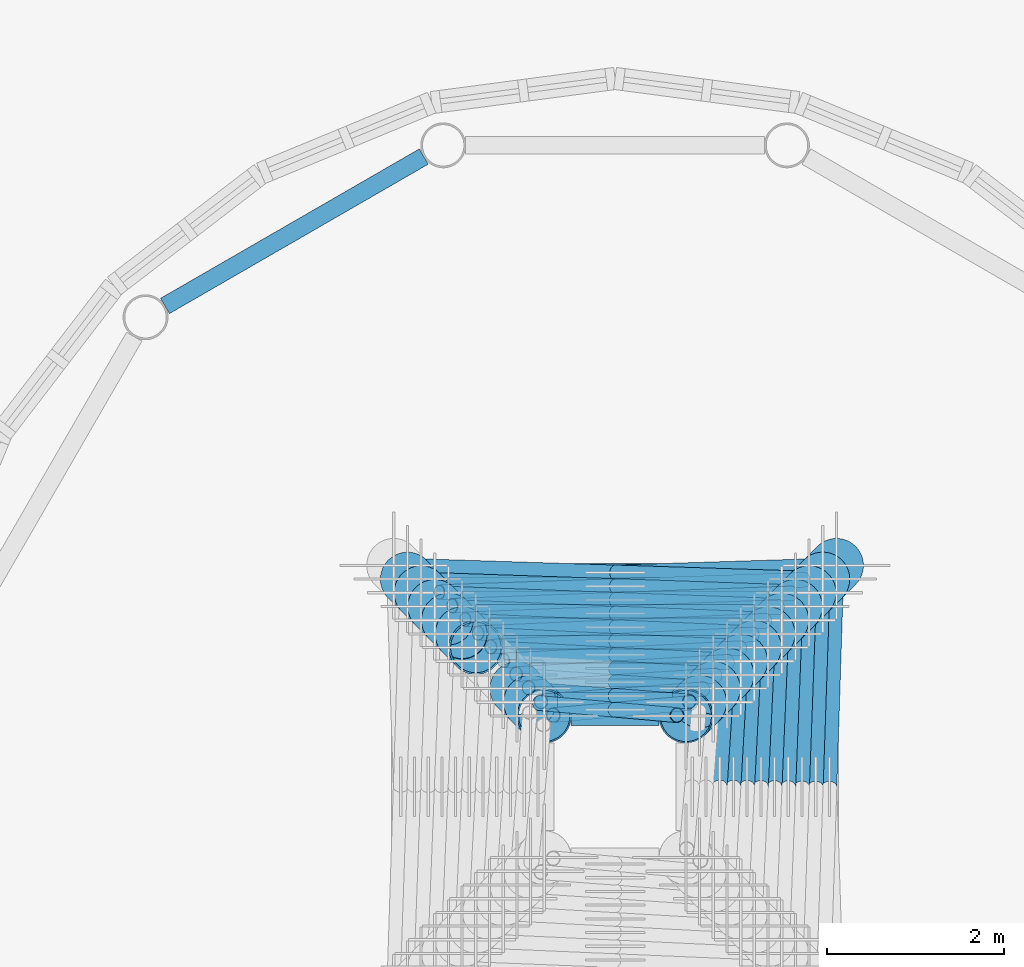
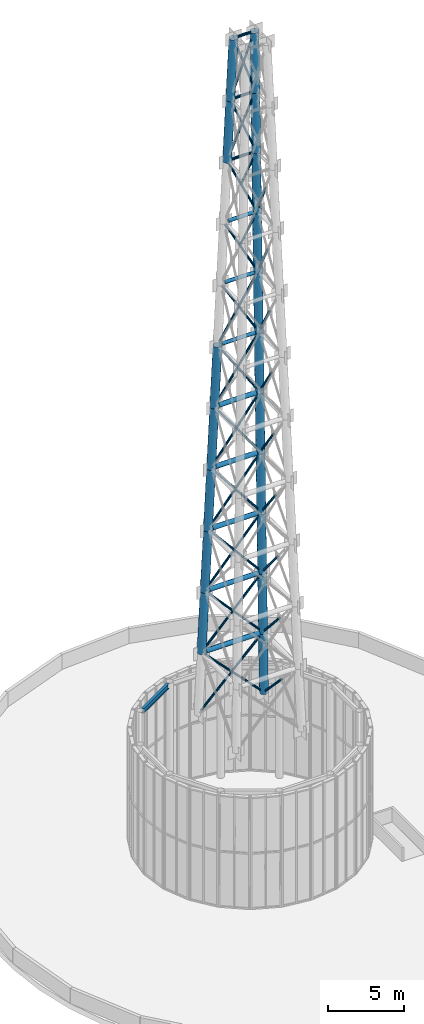
# One storey, part 6 of 11: 69 members, 1 beam.
"""IFC4 building model written with IfcOpenShell, lengths in metres."""

from ifc_helpers import new_model, si_unit, direction, frame, origin, origin_2d, place, context, subcontext, project, spatial, hollow_circle, i_section, extrude, material, material_profile, profile_set, type_object, element, save


model = new_model("IFC4")

# Units and contexts
model_context = context("Model", 3, precision=1e-05, world=origin(), true_north=direction((0.0, 1.0)))
body_context = subcontext(model_context, "Body", "Model", "MODEL_VIEW")
ifc_project = project(units=[si_unit("LENGTHUNIT", "METRE"), si_unit("AREAUNIT", "SQUARE_METRE"), si_unit("VOLUMEUNIT", "CUBIC_METRE"), si_unit("PLANEANGLEUNIT", "RADIAN"), si_unit("MASSUNIT", "GRAM", prefix="KILO")], contexts=[model_context])

# Site, building, storey
site_placement = place(None, origin())
site = spatial("IfcSite", under=ifc_project, at=site_placement, CompositionType="ELEMENT")
building_placement = place(site_placement, origin())
building = spatial("IfcBuilding", under=site, at=building_placement, Name="Vermilion Reach Broadcast Tower", CompositionType="ELEMENT")
storey_placement = place(building_placement, frame((0.0, 0.0, 329.699951171875)))
storey = spatial("IfcBuildingStorey", under=building, at=storey_placement, Name="RF", CompositionType="ELEMENT", Elevation=329.699951171875)

# Beam
ifc_material_1 = material(Name="Steel S355J2", Category="steel")
ifc_material_profile_1 = material_profile(ifc_material_1, i_section(OverallWidth=0.199951171875, OverallDepth=0.39990234375, WebThickness=0.008056640625, FlangeThickness=0.012939453125, at=origin_2d()), Name="S355J2 HN 400x200x8x13")
ifc_profile_set_1 = profile_set([ifc_material_profile_1], Name="Steel S355J2")
beam_type = type_object("IfcBeamType", Name="DB1 HN 400x200x8x13", PredefinedType="BEAM", material=ifc_profile_set_1)
beam_placement = place(storey_placement, frame((-8.1611328125, 7.117431640625, 8.85009765625), z_axis=(-0.866034971321, -0.499983428175, 0.0), x_axis=(0.499983428175, -0.866034971321, 0.0)))
element("IfcBeam", 1, at=beam_placement, inside=storey, type_object=beam_type, Name="Plant drum ring beam DB1-04", PredefinedType="BEAM", context=body_context, shape_type="SweptSolid", body=[
    extrude(i_section(OverallWidth=0.199951171875, OverallDepth=0.39990234375, WebThickness=0.008056640625, FlangeThickness=0.012939453125, at=origin_2d()), origin(), (0.0, 0.0, 1.0), 3.3740234375),
])

# Members
ifc_material_2 = material(Name="Steel S355J2H", Category="steel")
ifc_material_profile_2 = material_profile(ifc_material_2, hollow_circle(Radius=0.084228515625, WallThickness=0.008056640625, at=origin_2d()), Name="S355J2H CHS 168x8")
ifc_profile_set_2 = profile_set([ifc_material_profile_2], Name="Steel S355J2H")
member_type_1 = type_object("IfcMemberType", Name="MBR CHS 168x8", PredefinedType="BRACE", material=ifc_profile_set_2)
member_1_placement = place(storey_placement, frame((-3.5068359375, 2.287841796875, 9.718994140625), z_axis=(-0.022199125077, -0.695745823055, 0.717944948132), x_axis=(0.9994913617, -0.031890717869, 0.0)))
element("IfcMember", 2, at=member_1_placement, inside=storey, type_object=member_type_1, Name="Mast brace panel 1", PredefinedType="BRACE", context=body_context, shape_type="SweptSolid", body=[
    extrude(hollow_circle(Radius=0.084228515625, WallThickness=0.008056640625, at=origin_2d()), origin(), (0.0, 0.0, 1.0), 3.288330078125),
])
member_2_placement = place(storey_placement, frame((-3.712158203125, 2.4931640625, 9.718994140625), z_axis=(-0.695761707887, -0.022168783779, 0.717930491666), x_axis=(0.031846448183, -0.99949277323, 0.0)))
element("IfcMember", 3, at=member_2_placement, inside=storey, type_object=member_type_1, Name="Mast brace panel 1", PredefinedType="BRACE", context=body_context, shape_type="SweptSolid", body=[
    extrude(hollow_circle(Radius=0.084228515625, WallThickness=0.008056640625, at=origin_2d()), origin(), (0.0, 0.0, 1.0), 6.3544921875),
])
member_3_placement = place(storey_placement, frame((-8.287841796875, 2.4931640625, 9.718994140625), z_axis=(0.695745823055, -0.022199125077, 0.717944948132), x_axis=(0.031890717869, 0.9994913617, 0.0)))
element("IfcMember", 4, at=member_3_placement, inside=storey, type_object=member_type_1, Name="Mast brace panel 1", PredefinedType="BRACE", context=body_context, shape_type="SweptSolid", body=[
    extrude(hollow_circle(Radius=0.084228515625, WallThickness=0.008056640625, at=origin_2d()), origin(), (0.0, 0.0, 1.0), 3.288330078125),
])
member_4_placement = place(storey_placement, frame((-6.0, 2.420166015625, 12.079833984375), z_axis=(0.695778743189, -0.022136242917, 0.717914986106), x_axis=(0.031798971296, 0.999494284838, 0.0)))
element("IfcMember", 5, at=member_4_placement, inside=storey, type_object=member_type_1, Name="Mast brace panel 1", PredefinedType="BRACE", context=body_context, shape_type="SweptSolid", body=[
    extrude(hollow_circle(Radius=0.084228515625, WallThickness=0.008056640625, at=origin_2d()), origin(), (0.0, 0.0, 1.0), 3.066162109375),
])
member_5_placement = place(storey_placement, frame((-3.66162109375, 2.140625, 14.725830078125), z_axis=(-0.022831426931, -0.671764937339, 0.740412449184), x_axis=(0.999422934117, -0.033967613409, 0.0)))
element("IfcMember", 6, at=member_5_placement, inside=storey, type_object=member_type_1, Name="Mast brace panel 2", PredefinedType="BRACE", context=body_context, shape_type="SweptSolid", body=[
    extrude(hollow_circle(Radius=0.084228515625, WallThickness=0.008056640625, at=origin_2d()), origin(), (0.0, 0.0, 1.0), 3.1865234375),
])
member_6_placement = place(storey_placement, frame((-3.859375, 2.33837890625, 14.725830078125), z_axis=(-0.671770828267, -0.022852051485, 0.740406468119), x_axis=(0.033997964486, -0.999421902107, 0.0)))
element("IfcMember", 7, at=member_6_placement, inside=storey, type_object=member_type_1, Name="Mast brace panel 2", PredefinedType="BRACE", context=body_context, shape_type="SweptSolid", body=[
    extrude(hollow_circle(Radius=0.084228515625, WallThickness=0.008056640625, at=origin_2d()), origin(), (0.0, 0.0, 1.0), 6.14306640625),
])
member_7_placement = place(storey_placement, frame((-8.140625, 2.33837890625, 14.725830078125), z_axis=(0.671764937339, -0.022831426931, 0.740412449184), x_axis=(0.033967613409, 0.999422934117, 0.0)))
element("IfcMember", 8, at=member_7_placement, inside=storey, type_object=member_type_1, Name="Mast brace panel 2", PredefinedType="BRACE", context=body_context, shape_type="SweptSolid", body=[
    extrude(hollow_circle(Radius=0.084228515625, WallThickness=0.008056640625, at=origin_2d()), origin(), (0.0, 0.0, 1.0), 3.1865234375),
])
member_8_placement = place(storey_placement, frame((-6.0, 2.265625, 17.085205078125), z_axis=(0.671777177322, -0.022874281268, 0.740400021127), x_axis=(0.034030677134, 0.999420788764, 0.0)))
element("IfcMember", 9, at=member_8_placement, inside=storey, type_object=member_type_1, Name="Mast brace panel 2", PredefinedType="BRACE", context=body_context, shape_type="SweptSolid", body=[
    extrude(hollow_circle(Radius=0.084228515625, WallThickness=0.008056640625, at=origin_2d()), origin(), (0.0, 0.0, 1.0), 2.95654296875),
])
member_9_placement = place(storey_placement, frame((-3.81640625, 1.994140625, 19.73291015625), z_axis=(-0.023548672028, -0.645454876267, 0.763435303577), x_axis=(0.999335128402, -0.036459582305, 0.0)))
element("IfcMember", 10, at=member_9_placement, inside=storey, type_object=member_type_1, Name="Mast brace panel 3", PredefinedType="BRACE", context=body_context, shape_type="SweptSolid", body=[
    extrude(hollow_circle(Radius=0.084228515625, WallThickness=0.008056640625, at=origin_2d()), origin(), (0.0, 0.0, 1.0), 3.089599609375),
])
member_10_placement = place(storey_placement, frame((-4.005859375, 2.18359375, 19.73291015625), z_axis=(-0.645480445535, -0.023594585476, 0.763412267368), x_axis=(0.036529128567, -0.999332588664, 0.0)))
element("IfcMember", 11, at=member_10_placement, inside=storey, type_object=member_type_1, Name="Mast brace panel 3", PredefinedType="BRACE", context=body_context, shape_type="SweptSolid", body=[
    extrude(hollow_circle(Radius=0.084228515625, WallThickness=0.008056640625, at=origin_2d()), origin(), (0.0, 0.0, 1.0), 5.939453125),
])
member_11_placement = place(storey_placement, frame((-7.994140625, 2.18359375, 19.73291015625), z_axis=(0.645454876267, -0.023548672028, 0.763435303577), x_axis=(0.036459582305, 0.999335128402, 0.0)))
element("IfcMember", 12, at=member_11_placement, inside=storey, type_object=member_type_1, Name="Mast brace panel 3", PredefinedType="BRACE", context=body_context, shape_type="SweptSolid", body=[
    extrude(hollow_circle(Radius=0.084228515625, WallThickness=0.008056640625, at=origin_2d()), origin(), (0.0, 0.0, 1.0), 3.089599609375),
])
member_12_placement = place(storey_placement, frame((-6.0, 2.11083984375, 22.091552734375), z_axis=(0.645508162712, -0.023644360041, 0.763387291033), x_axis=(0.03660451667, 0.999329830116, 0.0)))
element("IfcMember", 13, at=member_12_placement, inside=storey, type_object=member_type_1, Name="Mast brace panel 3", PredefinedType="BRACE", context=body_context, shape_type="SweptSolid", body=[
    extrude(hollow_circle(Radius=0.084228515625, WallThickness=0.008056640625, at=origin_2d()), origin(), (0.0, 0.0, 1.0), 2.849853515625),
])
member_13_placement = place(storey_placement, frame((-3.970947265625, 1.848388671875, 24.739990234375), z_axis=(-0.024352897894, -0.61664143797, 0.786867379768), x_axis=(0.999221070359, -0.039462039366, 0.0)))
element("IfcMember", 14, at=member_13_placement, inside=storey, type_object=member_type_1, Name="Mast brace panel 4", PredefinedType="BRACE", context=body_context, shape_type="SweptSolid", body=[
    extrude(hollow_circle(Radius=0.084228515625, WallThickness=0.008056640625, at=origin_2d()), origin(), (0.0, 0.0, 1.0), 2.99755859375),
])
member_14_placement = place(storey_placement, frame((-4.151611328125, 2.029052734375, 24.739990234375), z_axis=(-0.616646763717, -0.024353063313, 0.78686320101), x_axis=(0.039461966708, -0.999221073228, 0.0)))
element("IfcMember", 15, at=member_14_placement, inside=storey, type_object=member_type_1, Name="Mast brace panel 4", PredefinedType="BRACE", context=body_context, shape_type="SweptSolid", body=[
    extrude(hollow_circle(Radius=0.084228515625, WallThickness=0.008056640625, at=origin_2d()), origin(), (0.0, 0.0, 1.0), 5.744384765625),
])
member_15_placement = place(storey_placement, frame((-7.848388671875, 2.029052734375, 24.739990234375), z_axis=(0.61664143797, -0.024352897894, 0.786867379768), x_axis=(0.039462039366, 0.999221070359, 0.0)))
element("IfcMember", 16, at=member_15_placement, inside=storey, type_object=member_type_1, Name="Mast brace panel 4", PredefinedType="BRACE", context=body_context, shape_type="SweptSolid", body=[
    extrude(hollow_circle(Radius=0.084228515625, WallThickness=0.008056640625, at=origin_2d()), origin(), (0.0, 0.0, 1.0), 2.99755859375),
])
member_16_placement = place(storey_placement, frame((-6.0, 1.9560546875, 27.0986328125), z_axis=(0.616652575441, -0.024353243827, 0.786858640873), x_axis=(0.03946188742, 0.99922107636, 0.0)))
element("IfcMember", 17, at=member_16_placement, inside=storey, type_object=member_type_1, Name="Mast brace panel 4", PredefinedType="BRACE", context=body_context, shape_type="SweptSolid", body=[
    extrude(hollow_circle(Radius=0.084228515625, WallThickness=0.008056640625, at=origin_2d()), origin(), (0.0, 0.0, 1.0), 2.746826171875),
])
member_17_placement = place(storey_placement, frame((-4.125732421875, 1.703369140625, 29.747314453125), z_axis=(-0.025073916487, -0.585086004445, 0.810583534322), x_axis=(0.999082983326, -0.042815796476, 0.0)))
element("IfcMember", 18, at=member_17_placement, inside=storey, type_object=member_type_1, Name="Mast brace panel 5", PredefinedType="BRACE", context=body_context, shape_type="SweptSolid", body=[
    extrude(hollow_circle(Radius=0.084228515625, WallThickness=0.008056640625, at=origin_2d()), origin(), (0.0, 0.0, 1.0), 2.911376953125),
])
member_18_placement = place(storey_placement, frame((-4.296630859375, 1.874267578125, 29.747314453125), z_axis=(-0.585086671812, -0.02507953529, 0.810582878784), x_axis=(0.042825324697, -0.999082574948, 0.0)))
element("IfcMember", 19, at=member_18_placement, inside=storey, type_object=member_type_1, Name="Mast brace panel 5", PredefinedType="BRACE", context=body_context, shape_type="SweptSolid", body=[
    extrude(hollow_circle(Radius=0.084228515625, WallThickness=0.008056640625, at=origin_2d()), origin(), (0.0, 0.0, 1.0), 5.55859375),
])
member_19_placement = place(storey_placement, frame((-7.703369140625, 1.874267578125, 29.747314453125), z_axis=(0.585086004445, -0.025073916487, 0.810583534322), x_axis=(0.042815796476, 0.999082983326, 0.0)))
element("IfcMember", 20, at=member_19_placement, inside=storey, type_object=member_type_1, Name="Mast brace panel 5", PredefinedType="BRACE", context=body_context, shape_type="SweptSolid", body=[
    extrude(hollow_circle(Radius=0.084228515625, WallThickness=0.008056640625, at=origin_2d()), origin(), (0.0, 0.0, 1.0), 2.911376953125),
])
member_20_placement = place(storey_placement, frame((-6.0, 1.80126953125, 32.107177734375), z_axis=(0.585087405747, -0.025085714748, 0.810582157805), x_axis=(0.042835803625, 0.999082125717, 0.0)))
element("IfcMember", 21, at=member_20_placement, inside=storey, type_object=member_type_1, Name="Mast brace panel 5", PredefinedType="BRACE", context=body_context, shape_type="SweptSolid", body=[
    extrude(hollow_circle(Radius=0.084228515625, WallThickness=0.008056640625, at=origin_2d()), origin(), (0.0, 0.0, 1.0), 2.647216796875),
])
member_21_placement = place(storey_placement, frame((-4.280517578125, 1.559326171875, 34.754638671875), z_axis=(-0.025778975524, -0.550669955429, 0.834324903505), x_axis=(0.998906029941, -0.046762627674, 0.0)))
element("IfcMember", 22, at=member_21_placement, inside=storey, type_object=member_type_1, Name="Mast brace panel 6", PredefinedType="BRACE", context=body_context, shape_type="SweptSolid", body=[
    extrude(hollow_circle(Radius=0.084228515625, WallThickness=0.008056640625, at=origin_2d()), origin(), (0.0, 0.0, 1.0), 2.831787109375),
])
member_22_placement = place(storey_placement, frame((-4.440673828125, 1.719482421875, 34.754638671875), z_axis=(-0.550668216389, -0.025807611822, 0.834325166006), x_axis=(0.046814607173, -0.998903595226, 0.0)))
element("IfcMember", 23, at=member_22_placement, inside=storey, type_object=member_type_1, Name="Mast brace panel 6", PredefinedType="BRACE", context=body_context, shape_type="SweptSolid", body=[
    extrude(hollow_circle(Radius=0.084228515625, WallThickness=0.008056640625, at=origin_2d()), origin(), (0.0, 0.0, 1.0), 5.3828125),
])
member_23_placement = place(storey_placement, frame((-7.559326171875, 1.719482421875, 34.754638671875), z_axis=(0.550669955429, -0.025778975524, 0.834324903505), x_axis=(0.046762627674, 0.998906029941, 0.0)))
element("IfcMember", 24, at=member_23_placement, inside=storey, type_object=member_type_1, Name="Mast brace panel 6", PredefinedType="BRACE", context=body_context, shape_type="SweptSolid", body=[
    extrude(hollow_circle(Radius=0.084228515625, WallThickness=0.008056640625, at=origin_2d()), origin(), (0.0, 0.0, 1.0), 2.831787109375),
])
member_24_placement = place(storey_placement, frame((-6.0, 1.646484375, 37.1171875), z_axis=(0.550666285519, -0.025839398173, 0.834325456579), x_axis=(0.046872304513, 0.998900889513, 0.0)))
element("IfcMember", 25, at=member_24_placement, inside=storey, type_object=member_type_1, Name="Mast brace panel 6", PredefinedType="BRACE", context=body_context, shape_type="SweptSolid", body=[
    extrude(hollow_circle(Radius=0.084228515625, WallThickness=0.008056640625, at=origin_2d()), origin(), (0.0, 0.0, 1.0), 2.551025390625),
])
member_25_placement = place(storey_placement, frame((-4.435302734375, 1.416259765625, 39.76171875), z_axis=(-0.026540005715, -0.513195243844, 0.857861451397), x_axis=(0.998665444252, -0.051646204667, 0.0)))
element("IfcMember", 26, at=member_25_placement, inside=storey, type_object=member_type_1, Name="Mast brace panel 7", PredefinedType="BRACE", context=body_context, shape_type="SweptSolid", body=[
    extrude(hollow_circle(Radius=0.084228515625, WallThickness=0.008056640625, at=origin_2d()), origin(), (0.0, 0.0, 1.0), 2.759765625),
])
member_26_placement = place(storey_placement, frame((-4.583740234375, 1.564697265625, 39.76171875), z_axis=(-0.513192774051, -0.026527514166, 0.857863315252), x_axis=(0.051622208984, -0.998666684905, 0.0)))
element("IfcMember", 27, at=member_26_placement, inside=storey, type_object=member_type_1, Name="Mast brace panel 7", PredefinedType="BRACE", context=body_context, shape_type="SweptSolid", body=[
    extrude(hollow_circle(Radius=0.084228515625, WallThickness=0.008056640625, at=origin_2d()), origin(), (0.0, 0.0, 1.0), 5.21826171875),
])
member_27_placement = place(storey_placement, frame((-7.416259765625, 1.564697265625, 39.76171875), z_axis=(0.513195243844, -0.026540005715, 0.857861451397), x_axis=(0.051646204667, 0.998665444252, 0.0)))
element("IfcMember", 28, at=member_27_placement, inside=storey, type_object=member_type_1, Name="Mast brace panel 7", PredefinedType="BRACE", context=body_context, shape_type="SweptSolid", body=[
    extrude(hollow_circle(Radius=0.084228515625, WallThickness=0.008056640625, at=origin_2d()), origin(), (0.0, 0.0, 1.0), 2.759765625),
])
member_28_placement = place(storey_placement, frame((-6.0, 1.491455078125, 42.129150390625), z_axis=(0.513190001673, -0.026513492734, 0.857865407209), x_axis=(0.051595274093, 0.998668076836, 0.0)))
element("IfcMember", 29, at=member_28_placement, inside=storey, type_object=member_type_1, Name="Mast brace panel 7", PredefinedType="BRACE", context=body_context, shape_type="SweptSolid", body=[
    extrude(hollow_circle(Radius=0.084228515625, WallThickness=0.008056640625, at=origin_2d()), origin(), (0.0, 0.0, 1.0), 2.45849609375),
])
member_29_placement = place(storey_placement, frame((-4.590087890625, 1.274169921875, 44.768798828125), z_axis=(-0.027253269785, -0.472540913647, 0.880887248299), x_axis=(0.998340999136, -0.057578202863, 0.0)))
element("IfcMember", 30, at=member_29_placement, inside=storey, type_object=member_type_1, Name="Mast brace panel 8", PredefinedType="BRACE", context=body_context, shape_type="SweptSolid", body=[
    extrude(hollow_circle(Radius=0.084228515625, WallThickness=0.008056640625, at=origin_2d()), origin(), (0.0, 0.0, 1.0), 2.696533203125),
])
member_30_placement = place(storey_placement, frame((-4.725830078125, 1.409912109375, 44.768798828125), z_axis=(-0.472521016669, -0.027228391068, 0.880898690841), x_axis=(0.057528229701, -0.998343880027, 0.0)))
element("IfcMember", 31, at=member_30_placement, inside=storey, type_object=member_type_1, Name="Mast brace panel 8", PredefinedType="BRACE", context=body_context, shape_type="SweptSolid", body=[
    extrude(hollow_circle(Radius=0.084228515625, WallThickness=0.008056640625, at=origin_2d()), origin(), (0.0, 0.0, 1.0), 5.06591796875),
])
member_31_placement = place(storey_placement, frame((-6.0, 1.33642578125, 47.14404296875), z_axis=(0.472498374716, -0.027200080882, 0.880911710384), x_axis=(0.057471358278, 0.998347155541, 0.0)))
element("IfcMember", 32, at=member_31_placement, inside=storey, type_object=member_type_1, Name="Mast brace panel 8", PredefinedType="BRACE", context=body_context, shape_type="SweptSolid", body=[
    extrude(hollow_circle(Radius=0.084228515625, WallThickness=0.008056640625, at=origin_2d()), origin(), (0.0, 0.0, 1.0), 2.36962890625),
])
member_32_placement = place(storey_placement, frame((-4.744873046875, 1.1328125, 49.775390625), z_axis=(-0.027890170853, -0.428511234295, 0.903105896588), x_axis=(0.997888598734, -0.064948783797, 0.0)))
element("IfcMember", 33, at=member_32_placement, inside=storey, type_object=member_type_1, Name="Mast brace panel 9", PredefinedType="BRACE", context=body_context, shape_type="SweptSolid", body=[
    extrude(hollow_circle(Radius=0.084228515625, WallThickness=0.008056640625, at=origin_2d()), origin(), (0.0, 0.0, 1.0), 2.6435546875),
])
member_33_placement = place(storey_placement, frame((-4.8671875, 1.255126953125, 49.775390625), z_axis=(-0.428509681885, -0.027899959628, 0.903106330829), x_axis=(0.064971717424, -0.997887105807, 0.0)))
element("IfcMember", 34, at=member_33_placement, inside=storey, type_object=member_type_1, Name="Mast brace panel 9", PredefinedType="BRACE", context=body_context, shape_type="SweptSolid", body=[
    extrude(hollow_circle(Radius=0.084228515625, WallThickness=0.008056640625, at=origin_2d()), origin(), (0.0, 0.0, 1.0), 4.926513671875),
])
member_34_placement = place(storey_placement, frame((-6.0, 1.181396484375, 52.162841796875), z_axis=(0.428507884197, -0.027911294678, 0.903106833553), x_axis=(0.06499827383, 0.997885376383, 0.0)))
element("IfcMember", 35, at=member_34_placement, inside=storey, type_object=member_type_1, Name="Mast brace panel 9", PredefinedType="BRACE", context=body_context, shape_type="SweptSolid", body=[
    extrude(hollow_circle(Radius=0.084228515625, WallThickness=0.008056640625, at=origin_2d()), origin(), (0.0, 0.0, 1.0), 2.282958984375),
])
member_35_placement = place(storey_placement, frame((-5.00732421875, 1.100341796875, 54.781982421875), z_axis=(-0.381325637338, -0.028577811466, 0.923998954004), x_axis=(0.074733748511, -0.997203523276, 0.0)))
element("IfcMember", 36, at=member_35_placement, inside=storey, type_object=member_type_1, Name="Mast brace panel 10", PredefinedType="BRACE", context=body_context, shape_type="SweptSolid", body=[
    extrude(hollow_circle(Radius=0.084228515625, WallThickness=0.008056640625, at=origin_2d()), origin(), (0.0, 0.0, 1.0), 4.80126953125),
])
member_36_placement = place(storey_placement, frame((-6.99267578125, 1.100341796875, 54.781982421875), z_axis=(0.381340199973, -0.02851141682, 0.923994995114), x_axis=(0.07455825494, 0.997216659819, 0.0)))
element("IfcMember", 37, at=member_36_placement, inside=storey, type_object=member_type_1, Name="Mast brace panel 10", PredefinedType="BRACE", context=body_context, shape_type="SweptSolid", body=[
    extrude(hollow_circle(Radius=0.084228515625, WallThickness=0.008056640625, at=origin_2d()), origin(), (0.0, 0.0, 1.0), 2.60302734375),
])
member_37_placement = place(storey_placement, frame((-6.0, 1.026123046875, 57.187255859375), z_axis=(0.381308388698, -0.028656441679, 0.924003636929), x_axis=(0.074941591802, 0.997187925026, 0.0)))
element("IfcMember", 38, at=member_37_placement, inside=storey, type_object=member_type_1, Name="Mast brace panel 10", PredefinedType="BRACE", context=body_context, shape_type="SweptSolid", body=[
    extrude(hollow_circle(Radius=0.084228515625, WallThickness=0.008056640625, at=origin_2d()), origin(), (0.0, 0.0, 1.0), 2.197998046875),
])
member_38_placement = place(storey_placement, frame((-5.146484375, 0.945556640625, 59.787841796875), z_axis=(-0.330949505994, -0.029144790589, 0.943198285444), x_axis=(0.087724652663, -0.996144761225, 0.0)))
element("IfcMember", 39, at=member_38_placement, inside=storey, type_object=member_type_1, Name="Mast brace panel 11", PredefinedType="BRACE", context=body_context, shape_type="SweptSolid", body=[
    extrude(hollow_circle(Radius=0.084228515625, WallThickness=0.008056640625, at=origin_2d()), origin(), (0.0, 0.0, 1.0), 4.69091796875),
])
member_39_placement = place(storey_placement, frame((-6.853515625, 0.945556640625, 59.787841796875), z_axis=(0.330964683072, -0.029158215786, 0.943192545036), x_axis=(0.087760757141, 0.996141581055, 0.0)))
element("IfcMember", 40, at=member_39_placement, inside=storey, type_object=member_type_1, Name="Mast brace panel 11", PredefinedType="BRACE", context=body_context, shape_type="SweptSolid", body=[
    extrude(hollow_circle(Radius=0.084228515625, WallThickness=0.008056640625, at=origin_2d()), origin(), (0.0, 0.0, 1.0), 2.578857421875),
])
member_40_placement = place(storey_placement, frame((-6.0, 0.870361328125, 62.22021484375), z_axis=(0.330930975003, -0.029128398778, 0.943205293756), x_axis=(0.087680565134, 0.996148642773, 0.0)))
element("IfcMember", 41, at=member_40_placement, inside=storey, type_object=member_type_1, Name="Mast brace panel 11", PredefinedType="BRACE", context=body_context, shape_type="SweptSolid", body=[
    extrude(hollow_circle(Radius=0.084228515625, WallThickness=0.008056640625, at=origin_2d()), origin(), (0.0, 0.0, 1.0), 2.112060546875),
])
ifc_material_3 = material(Name="Steel S355J2H", Category="steel")
ifc_material_profile_3 = material_profile(ifc_material_3, hollow_circle(Radius=0.304931640625, WallThickness=0.02490234375, at=origin_2d()), Name="S355J2H CHS 610x25")
ifc_profile_set_3 = profile_set([ifc_material_profile_3], Name="Steel S355J2H")
member_type_2 = type_object("IfcMemberType", Name="MLG1 CHS 610x25", PredefinedType="POST", material=ifc_profile_set_3)
for number, where, z_axis, x_axis, name in (
    (42, (-3.5, 2.5, 9.5), (-0.030878718237, -0.030878718237, 0.99904604975), (0.707106781187, -0.707106781187, 0.0), "Mast leg L3 panel 1"),
    (43, (-3.654541015625, 2.345458984375, 14.5), (-0.030878718237, -0.030878718237, 0.99904604975), (0.707106781187, -0.707106781187, 0.0), "Mast leg L3 panel 2"),
    (44, (-8.345458984375, 2.345458984375, 14.5), (0.030878718237, -0.030878718237, 0.99904604975), (0.707106781187, 0.707106781187, 0.0), "Mast leg L4 panel 2"),
    (45, (-3.80908203125, 2.19091796875, 19.5), (-0.030878718237, -0.030878718237, 0.99904604975), (0.707106781187, -0.707106781187, 0.0), "Mast leg L3 panel 3"),
    (46, (-8.19091796875, 2.19091796875, 19.5), (0.030878718237, -0.030878718237, 0.99904604975), (0.707106781187, 0.707106781187, 0.0), "Mast leg L4 panel 3"),
    (47, (-3.963623046875, 2.036376953125, 24.5), (-0.030878718237, -0.030878718237, 0.99904604975), (0.707106781187, -0.707106781187, 0.0), "Mast leg L3 panel 4"),
    (48, (-8.036376953125, 2.036376953125, 24.5), (0.030878718237, -0.030878718237, 0.99904604975), (0.707106781187, 0.707106781187, 0.0), "Mast leg L4 panel 4"),
    (49, (-4.1181640625, 1.8818359375, 29.5), (-0.030878718237, -0.030878718237, 0.99904604975), (0.707106781187, -0.707106781187, 0.0), "Mast leg L3 panel 5"),
    (50, (-7.8818359375, 1.8818359375, 29.5), (0.030878718237, -0.030878718237, 0.99904604975), (0.707106781187, 0.707106781187, 0.0), "Mast leg L4 panel 5"),
):
    element("IfcMember", number, at=place(storey_placement, frame(where, z_axis=z_axis, x_axis=x_axis)), inside=storey, type_object=member_type_2, Name=name, PredefinedType="POST", context=body_context, shape_type="SweptSolid", body=[
        extrude(hollow_circle(Radius=0.304931640625, WallThickness=0.02490234375, at=origin_2d()), origin(), (0.0, 0.0, 1.0), 5.0048828125),
    ])
ifc_material_4 = material(Name="Steel S355J2H", Category="steel")
ifc_material_profile_4 = material_profile(ifc_material_4, hollow_circle(Radius=0.304931640625, WallThickness=0.02001953125, at=origin_2d()), Name="S355J2H CHS 610x20")
ifc_profile_set_4 = profile_set([ifc_material_profile_4], Name="Steel S355J2H")
member_type_3 = type_object("IfcMemberType", Name="MLG2 CHS 610x20", PredefinedType="POST", material=ifc_profile_set_4)
for number, where, z_axis, x_axis, name in (
    (51, (-4.272705078125, 1.727294921875, 34.5), (-0.030878718237, -0.030878718237, 0.99904604975), (0.707106781187, -0.707106781187, 0.0), "Mast leg L3 panel 6"),
    (52, (-7.727294921875, 1.727294921875, 34.5), (0.030878718237, -0.030878718237, 0.99904604975), (0.707106781187, 0.707106781187, 0.0), "Mast leg L4 panel 6"),
    (53, (-4.42724609375, 1.57275390625, 39.5), (-0.030878718237, -0.030878718237, 0.99904604975), (0.707106781187, -0.707106781187, 0.0), "Mast leg L3 panel 7"),
    (54, (-4.581787109375, 1.418212890625, 44.5), (-0.030878718237, -0.030878718237, 0.99904604975), (0.707106781187, -0.707106781187, 0.0), "Mast leg L3 panel 8"),
):
    element("IfcMember", number, at=place(storey_placement, frame(where, z_axis=z_axis, x_axis=x_axis)), inside=storey, type_object=member_type_3, Name=name, PredefinedType="POST", context=body_context, shape_type="SweptSolid", body=[
        extrude(hollow_circle(Radius=0.304931640625, WallThickness=0.02001953125, at=origin_2d()), origin(), (0.0, 0.0, 1.0), 5.0048828125),
    ])
ifc_material_5 = material(Name="Steel S355J2H", Category="steel")
ifc_material_profile_5 = material_profile(ifc_material_5, hollow_circle(Radius=0.304931640625, WallThickness=0.01611328125, at=origin_2d()), Name="S355J2H CHS 610x16")
ifc_profile_set_5 = profile_set([ifc_material_profile_5], Name="Steel S355J2H")
member_type_4 = type_object("IfcMemberType", Name="MLG3 CHS 610x16", PredefinedType="POST", material=ifc_profile_set_5)
for number, where, z_axis, x_axis, name in (
    (55, (-4.736328125, 1.263671875, 49.5), (-0.030878718237, -0.030878718237, 0.99904604975), (0.707106781187, -0.707106781187, 0.0), "Mast leg L3 panel 9"),
    (56, (-4.890869140625, 1.109130859375, 54.5), (-0.030878718237, -0.030878718237, 0.99904604975), (0.707106781187, -0.707106781187, 0.0), "Mast leg L3 panel 10"),
    (57, (-7.109130859375, 1.109130859375, 54.5), (0.030878718237, -0.030878718237, 0.99904604975), (0.707106781187, 0.707106781187, 0.0), "Mast leg L4 panel 10"),
    (58, (-5.04541015625, 0.95458984375, 59.5), (-0.030878718237, -0.030878718237, 0.99904604975), (0.707106781187, -0.707106781187, 0.0), "Mast leg L3 panel 11"),
    (59, (-6.95458984375, 0.95458984375, 59.5), (0.030878718237, -0.030878718237, 0.99904604975), (0.707106781187, 0.707106781187, 0.0), "Mast leg L4 panel 11"),
):
    element("IfcMember", number, at=place(storey_placement, frame(where, z_axis=z_axis, x_axis=x_axis)), inside=storey, type_object=member_type_4, Name=name, PredefinedType="POST", context=body_context, shape_type="SweptSolid", body=[
        extrude(hollow_circle(Radius=0.304931640625, WallThickness=0.01611328125, at=origin_2d()), origin(), (0.0, 0.0, 1.0), 5.0048828125),
    ])
ifc_material_6 = material(Name="Steel S355J2H", Category="steel")
ifc_material_profile_6 = material_profile(ifc_material_6, hollow_circle(Radius=0.177734375, WallThickness=0.013916015625, at=origin_2d()), Name="S355J2H CHS 356x14")
ifc_profile_set_6 = profile_set([ifc_material_profile_6], Name="Steel S355J2H")
member_type_5 = type_object("IfcMemberType", Name="MTE1 CHS 356x14", PredefinedType="STRUT", material=ifc_profile_set_6)
member_41_placement = place(storey_placement, frame((-3.95947265625, 2.345458984375, 14.5), z_axis=(-1.0, 0.0, 0.0), x_axis=(0.0, -1.0, 0.0)))
element("IfcMember", 60, at=member_41_placement, inside=storey, type_object=member_type_5, Name="Mast tie level 1", PredefinedType="STRUT", context=body_context, shape_type="SweptSolid", body=[
    extrude(hollow_circle(Radius=0.177734375, WallThickness=0.013916015625, at=origin_2d()), origin(), (0.0, 0.0, 1.0), 4.0810546875),
])
member_42_placement = place(storey_placement, frame((-4.114013671875, 2.19091796875, 19.5), z_axis=(-1.0, 0.0, 0.0), x_axis=(0.0, -1.0, 0.0)))
element("IfcMember", 61, at=member_42_placement, inside=storey, type_object=member_type_5, Name="Mast tie level 2", PredefinedType="STRUT", context=body_context, shape_type="SweptSolid", body=[
    extrude(hollow_circle(Radius=0.177734375, WallThickness=0.013916015625, at=origin_2d()), origin(), (0.0, 0.0, 1.0), 3.77197265625),
])
member_43_placement = place(storey_placement, frame((-4.2685546875, 2.036376953125, 24.5), z_axis=(-1.0, 0.0, 0.0), x_axis=(0.0, -1.0, 0.0)))
element("IfcMember", 62, at=member_43_placement, inside=storey, type_object=member_type_5, Name="Mast tie level 3", PredefinedType="STRUT", context=body_context, shape_type="SweptSolid", body=[
    extrude(hollow_circle(Radius=0.177734375, WallThickness=0.013916015625, at=origin_2d()), origin(), (0.0, 0.0, 1.0), 3.462890625),
])
member_44_placement = place(storey_placement, frame((-4.423095703125, 1.8818359375, 29.5), z_axis=(-1.0, 0.0, 0.0), x_axis=(0.0, -1.0, 0.0)))
element("IfcMember", 63, at=member_44_placement, inside=storey, type_object=member_type_5, Name="Mast tie level 4", PredefinedType="STRUT", context=body_context, shape_type="SweptSolid", body=[
    extrude(hollow_circle(Radius=0.177734375, WallThickness=0.013916015625, at=origin_2d()), origin(), (0.0, 0.0, 1.0), 3.15380859375),
])
member_45_placement = place(storey_placement, frame((-4.57763671875, 1.727294921875, 34.5), z_axis=(-1.0, 0.0, 0.0), x_axis=(0.0, -1.0, 0.0)))
element("IfcMember", 64, at=member_45_placement, inside=storey, type_object=member_type_5, Name="Mast tie level 5", PredefinedType="STRUT", context=body_context, shape_type="SweptSolid", body=[
    extrude(hollow_circle(Radius=0.177734375, WallThickness=0.013916015625, at=origin_2d()), origin(), (0.0, 0.0, 1.0), 2.8447265625),
])
ifc_material_7 = material(Name="Steel S355J2H", Category="steel")
ifc_material_profile_7 = material_profile(ifc_material_7, hollow_circle(Radius=0.136474609375, WallThickness=0.011962890625, at=origin_2d()), Name="S355J2H CHS 273x12")
ifc_profile_set_7 = profile_set([ifc_material_profile_7], Name="Steel S355J2H")
member_type_6 = type_object("IfcMemberType", Name="MTE2 CHS 273x12", PredefinedType="STRUT", material=ifc_profile_set_7)
member_46_placement = place(storey_placement, frame((-4.732177734375, 1.57275390625, 39.5), z_axis=(-1.0, 0.0, 0.0), x_axis=(0.0, -1.0, 0.0)))
element("IfcMember", 65, at=member_46_placement, inside=storey, type_object=member_type_6, Name="Mast tie level 6", PredefinedType="STRUT", context=body_context, shape_type="SweptSolid", body=[
    extrude(hollow_circle(Radius=0.136474609375, WallThickness=0.011962890625, at=origin_2d()), origin(), (0.0, 0.0, 1.0), 2.53564453125),
])
member_47_placement = place(storey_placement, frame((-4.88671875, 1.418212890625, 44.5), z_axis=(-1.0, 0.0, 0.0), x_axis=(0.0, -1.0, 0.0)))
element("IfcMember", 66, at=member_47_placement, inside=storey, type_object=member_type_6, Name="Mast tie level 7", PredefinedType="STRUT", context=body_context, shape_type="SweptSolid", body=[
    extrude(hollow_circle(Radius=0.136474609375, WallThickness=0.011962890625, at=origin_2d()), origin(), (0.0, 0.0, 1.0), 2.2265625),
])
member_48_placement = place(storey_placement, frame((-5.041259765625, 1.263671875, 49.5), z_axis=(-1.0, 0.0, 0.0), x_axis=(0.0, -1.0, 0.0)))
element("IfcMember", 67, at=member_48_placement, inside=storey, type_object=member_type_6, Name="Mast tie level 8", PredefinedType="STRUT", context=body_context, shape_type="SweptSolid", body=[
    extrude(hollow_circle(Radius=0.136474609375, WallThickness=0.011962890625, at=origin_2d()), origin(), (0.0, 0.0, 1.0), 1.91748046875),
])
ifc_material_8 = material(Name="Steel S355J2H", Category="steel")
ifc_material_profile_8 = material_profile(ifc_material_8, hollow_circle(Radius=0.109619140625, WallThickness=0.010009765625, at=origin_2d()), Name="S355J2H CHS 219x10")
ifc_profile_set_8 = profile_set([ifc_material_profile_8], Name="Steel S355J2H")
member_type_7 = type_object("IfcMemberType", Name="MTE3 CHS 219x10", PredefinedType="STRUT", material=ifc_profile_set_8)
member_49_placement = place(storey_placement, frame((-5.19580078125, 1.109130859375, 54.5), z_axis=(-1.0, 0.0, 0.0), x_axis=(0.0, -1.0, 0.0)))
element("IfcMember", 68, at=member_49_placement, inside=storey, type_object=member_type_7, Name="Mast tie level 9", PredefinedType="STRUT", context=body_context, shape_type="SweptSolid", body=[
    extrude(hollow_circle(Radius=0.109619140625, WallThickness=0.010009765625, at=origin_2d()), origin(), (0.0, 0.0, 1.0), 1.6083984375),
])
member_50_placement = place(storey_placement, frame((-5.350341796875, 0.95458984375, 59.5), z_axis=(-1.0, 0.0, 0.0), x_axis=(0.0, -1.0, 0.0)))
element("IfcMember", 69, at=member_50_placement, inside=storey, type_object=member_type_7, Name="Mast tie level 10", PredefinedType="STRUT", context=body_context, shape_type="SweptSolid", body=[
    extrude(hollow_circle(Radius=0.109619140625, WallThickness=0.010009765625, at=origin_2d()), origin(), (0.0, 0.0, 1.0), 1.29931640625),
])
member_51_placement = place(storey_placement, frame((-5.5048828125, 0.800048828125, 64.5), z_axis=(-1.0, 0.0, 0.0), x_axis=(0.0, -1.0, 0.0)))
element("IfcMember", 70, at=member_51_placement, inside=storey, type_object=member_type_7, Name="Mast tie level 11", PredefinedType="STRUT", context=body_context, shape_type="SweptSolid", body=[
    extrude(hollow_circle(Radius=0.109619140625, WallThickness=0.010009765625, at=origin_2d()), origin(), (0.0, 0.0, 1.0), 0.990234375),
])

save(model, "model.ifc")
